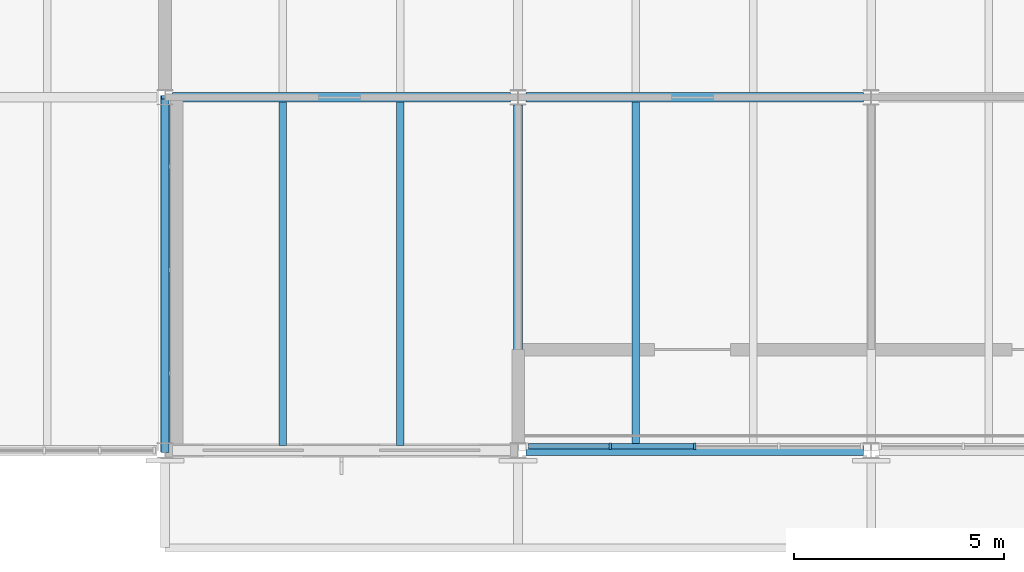
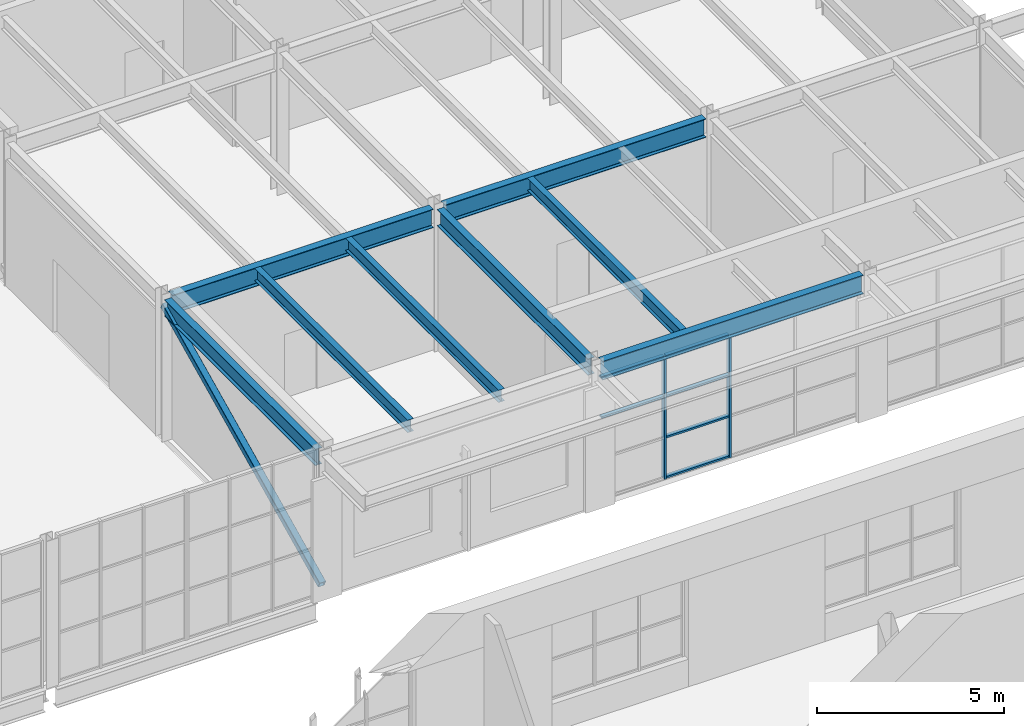
# One storey, part 42 of 116: 9 members, 8 beams, 1 element without a shape of its own.
"""IFC4 building model written with IfcOpenShell, lengths in metres."""

from ifc_helpers import new_model, si_unit, direction, frame, origin, origin_2d, place, context, subcontext, project, spatial, rectangle, hollow_rectangle, i_section, extrude, material, material_profile, profile_set, type_object, element, aggregate, save


model = new_model("IFC4")

# Units and contexts
model_context = context("Model", 3, precision=1e-05, world=origin(), true_north=direction((0.0, 1.0)))
body_context = subcontext(model_context, "Body", "Model", "MODEL_VIEW")
ifc_project = project(units=[si_unit("LENGTHUNIT", "METRE"), si_unit("AREAUNIT", "SQUARE_METRE"), si_unit("VOLUMEUNIT", "CUBIC_METRE"), si_unit("PLANEANGLEUNIT", "RADIAN"), si_unit("MASSUNIT", "GRAM", prefix="KILO")], contexts=[model_context])

# Site, building, storey
site_placement = place(None, origin())
site = spatial("IfcSite", under=ifc_project, at=site_placement, CompositionType="ELEMENT")
building_placement = place(site_placement, origin())
building = spatial("IfcBuilding", under=site, at=building_placement, Name="Ljudholm Concert House", CompositionType="ELEMENT")
storey_placement = place(building_placement, frame((0.0, 0.0, 10.199951171875)))
storey = spatial("IfcBuildingStorey", under=building, at=storey_placement, Name="L02", CompositionType="ELEMENT", Elevation=10.199951171875)

# Curtain wall, members
ifc_material_1 = material(Name="Aluminium curtain wall with fixed aluminium storm louvre blades, timber-grain finish", Category="aluminium")
curtain_wall_type = type_object("IfcCurtainWallType", Name="CURTAIN WALL 2000", PredefinedType="NOTDEFINED", material=ifc_material_1)
curtain_wall_placement = place(storey_placement, origin())
curtain_wall = element("IfcCurtainWall", 1, at=curtain_wall_placement, inside=storey, type_object=curtain_wall_type, Name="Storm louvre screen", PredefinedType="NOTDEFINED")
ifc_material_2 = material(Name="Aluminium extrusion", Category="aluminium")
ifc_material_profile_1 = material_profile(ifc_material_2, rectangle(XDim=0.159912109375, YDim=0.06005859375, at=origin_2d()), Name="MULLION 60x160")
ifc_profile_set_1 = profile_set([ifc_material_profile_1], Name="Aluminium extrusion")
member_type_1 = type_object("IfcMemberType", Name="MULLION 60x160", PredefinedType="MULLION", material=ifc_profile_set_1)
member_1_placement = place(storey_placement, frame((64.9951171875, 104.89990234375, 0.0), z_axis=(0.0, 0.0, 1.0), x_axis=(0.0, 1.0, 0.0)))
member_1 = element("IfcMember", 2, at=member_1_placement, type_object=member_type_1, Name="Mullion", PredefinedType="MULLION", context=body_context, shape_type="SweptSolid", body=[
    extrude(rectangle(XDim=0.159912109375, YDim=0.06005859375, at=origin_2d()), origin(), (0.0, 0.0, 1.0), 4.0078125),
])
member_2_placement = place(storey_placement, frame((67.0, 104.89990234375, 0.0), z_axis=(0.0, 0.0, 1.0), x_axis=(0.0, 1.0, 0.0)))
member_2 = element("IfcMember", 3, at=member_2_placement, type_object=member_type_1, Name="Mullion", PredefinedType="MULLION", context=body_context, shape_type="SweptSolid", body=[
    extrude(rectangle(XDim=0.159912109375, YDim=0.06005859375, at=origin_2d()), origin(), (0.0, 0.0, 1.0), 4.0078125),
])

# Beams
ifc_material_3 = material(Name="Steel ASTM A992", Category="steel")
ifc_material_profile_2 = material_profile(ifc_material_3, i_section(OverallWidth=0.177734375, OverallDepth=0.406494140625, WebThickness=0.0078125, FlangeThickness=0.012939453125, FilletRadius=0.01025390625, at=origin_2d()), Name="W16X40")
ifc_profile_set_2 = profile_set([ifc_material_profile_2], Name="Steel ASTM A992")
beam_type_1 = type_object("IfcBeamType", Name="STEEL BEAM W16X40", PredefinedType="BEAM", material=ifc_profile_set_2)
for number, where, z_axis, x_axis, name in (
    (4, (57.199951171875, 104.91455078125, 4.416748046875), (0.0, 1.0, 0.0), (-1.0, 0.0, 0.0), "Beam STUDIO-ROOF-sb-57.2-104.8"),
    (5, (60.0, 104.91455078125, 4.416748046875), (0.0, 1.0, 0.0), (-1.0, 0.0, 0.0), "Beam STUDIO-ROOF-sb-60-104.8"),
    (6, (65.60009765625, 104.91455078125, 4.416748046875), (0.0, 1.0, 0.0), (-1.0, 0.0, 0.0), "Beam STUDIO-ROOF-sb-65.6-104.8"),
):
    element("IfcBeam", number, at=place(storey_placement, frame(where, z_axis=z_axis, x_axis=x_axis)), inside=storey, type_object=beam_type_1, Name=name, PredefinedType="BEAM", context=body_context, shape_type="SweptSolid", body=[
        extrude(i_section(OverallWidth=0.177734375, OverallDepth=0.406494140625, WebThickness=0.0078125, FlangeThickness=0.012939453125, FilletRadius=0.01025390625, at=origin_2d()), origin(), (0.0, 0.0, 1.0), 8.1708984375),
    ])
ifc_material_4 = material(Name="Steel ASTM A992", Category="steel")
ifc_material_profile_3 = material_profile(ifc_material_4, i_section(OverallWidth=0.209228515625, OverallDepth=0.533447265625, WebThickness=0.01025390625, FlangeThickness=0.015625, FilletRadius=0.012939453125, at=origin_2d()), Name="W21X62")
ifc_profile_set_3 = profile_set([ifc_material_profile_3], Name="Steel ASTM A992")
beam_type_2 = type_object("IfcBeamType", Name="STEEL BEAM W21X62", PredefinedType="BEAM", material=ifc_profile_set_3)
for number, where, z_axis, x_axis, name in (
    (7, (54.39990234375, 104.977783203125, 4.353271484375), (0.0, 1.0, 0.0), (-1.0, 0.0, 0.0), "Beam STUDIO-ROOF-gy-54.4-104.8"),
    (8, (62.800048828125, 104.977783203125, 4.353271484375), (0.0, 1.0, 0.0), (-1.0, 0.0, 0.0), "Beam STUDIO-ROOF-gy-62.8-104.8"),
):
    element("IfcBeam", number, at=place(storey_placement, frame(where, z_axis=z_axis, x_axis=x_axis)), inside=storey, type_object=beam_type_2, Name=name, PredefinedType="BEAM", context=body_context, shape_type="SweptSolid", body=[
        extrude(i_section(OverallWidth=0.209228515625, OverallDepth=0.533447265625, WebThickness=0.01025390625, FlangeThickness=0.015625, FilletRadius=0.012939453125, at=origin_2d()), origin(), (0.0, 0.0, 1.0), 8.04443359375),
    ])
ifc_material_5 = material(Name="Steel ASTM A992", Category="steel")
ifc_material_profile_4 = material_profile(ifc_material_5, i_section(OverallWidth=0.22900390625, OverallDepth=0.612060546875, WebThickness=0.011962890625, FlangeThickness=0.01953125, FilletRadius=0.0126953125, at=origin_2d()), Name="W24X84")
ifc_profile_set_4 = profile_set([ifc_material_profile_4], Name="Steel ASTM A992")
beam_type_3 = type_object("IfcBeamType", Name="STEEL BEAM W24X84", PredefinedType="BEAM", material=ifc_profile_set_4)
for number, where, z_axis, x_axis, name in (
    (9, (62.984130859375, 104.800048828125, 4.31396484375), (1.0, 0.0, 0.0), (0.0, 1.0, 0.0), "Beam STUDIO-ROOF-gx-62.8-104.8"),
    (10, (54.584228515625, 113.199951171875, 4.31396484375), (1.0, 0.0, 0.0), (0.0, 1.0, 0.0), "Beam STUDIO-ROOF-gx-54.4-113.2"),
    (11, (62.984130859375, 113.199951171875, 4.31396484375), (1.0, 0.0, 0.0), (0.0, 1.0, 0.0), "Beam STUDIO-ROOF-gx-62.8-113.2"),
):
    element("IfcBeam", number, at=place(storey_placement, frame(where, z_axis=z_axis, x_axis=x_axis)), inside=storey, type_object=beam_type_3, Name=name, PredefinedType="BEAM", context=body_context, shape_type="SweptSolid", body=[
        extrude(i_section(OverallWidth=0.22900390625, OverallDepth=0.612060546875, WebThickness=0.011962890625, FlangeThickness=0.01953125, FilletRadius=0.0126953125, at=origin_2d()), origin(), (0.0, 0.0, 1.0), 8.03173828125),
    ])

# Member
ifc_material_6 = material(Name="Steel ASTM A500 Gr. C", Category="steel")
ifc_material_profile_5 = material_profile(ifc_material_6, hollow_rectangle(XDim=0.203125, YDim=0.203125, WallThickness=0.01171875, InnerFilletRadius=0.005859375, OuterFilletRadius=0.017822265625, at=origin_2d()), Name="HSS8X8X1/2")
ifc_profile_set_5 = profile_set([ifc_material_profile_5], Name="Steel ASTM A500 Gr. C")
member_type_2 = type_object("IfcMemberType", Name="STEEL MEMBER HSS8X8X1/2 BRACE", PredefinedType="BRACE", material=ifc_profile_set_5)
member_3_placement = place(storey_placement, frame((54.39990234375, 104.800048828125, 0.300048828125), z_axis=(0.0, 0.902022385889, 0.431689257864), x_axis=(-1.0, 0.0, 0.0)))
element("IfcMember", 12, at=member_3_placement, inside=storey, type_object=member_type_2, Name="Brace", PredefinedType="BRACE", context=body_context, shape_type="SweptSolid", body=[
    extrude(hollow_rectangle(XDim=0.203125, YDim=0.203125, WallThickness=0.01171875, InnerFilletRadius=0.005859375, OuterFilletRadius=0.017822265625, at=origin_2d()), origin(), (0.0, 0.0, 1.0), 9.312255859375),
])

ifc_material_7 = material(Name="Aluminium extrusion", Category="aluminium")
ifc_material_profile_6 = material_profile(ifc_material_7, rectangle(XDim=0.1201171875, YDim=0.06005859375, at=origin_2d()), Name="TRANSOM 60x120")
ifc_profile_set_6 = profile_set([ifc_material_profile_6], Name="Aluminium extrusion")
member_type_3 = type_object("IfcMemberType", Name="TRANSOM 60x120", PredefinedType="USERDEFINED", material=ifc_profile_set_6)
member_4_placement = place(storey_placement, frame((63.050048828125, 104.89990234375, 2.671875), z_axis=(1.0, 0.0, 0.0), x_axis=(0.0, 1.0, 0.0)))
member_4 = element("IfcMember", 13, at=member_4_placement, type_object=member_type_3, Name="Transom", ObjectType="TRANSOM", PredefinedType="USERDEFINED", context=body_context, shape_type="SweptSolid", body=[
    extrude(rectangle(XDim=0.1201171875, YDim=0.06005859375, at=origin_2d()), origin(), (0.0, 0.0, 1.0), 1.9150390625),
])

member_5_placement = place(storey_placement, frame((63.050048828125, 104.89990234375, 3.97802734375), z_axis=(1.0, 0.0, 0.0), x_axis=(0.0, 1.0, 0.0)))
member_5 = element("IfcMember", 14, at=member_5_placement, type_object=member_type_3, Name="Transom", ObjectType="TRANSOM", PredefinedType="USERDEFINED", context=body_context, shape_type="SweptSolid", body=[
    extrude(rectangle(XDim=0.1201171875, YDim=0.06005859375, at=origin_2d()), origin(), (0.0, 0.0, 1.0), 1.9150390625),
])

member_6_placement = place(storey_placement, frame((65.02490234375, 104.89990234375, 0.030029296875), z_axis=(1.0, 0.0, 0.0), x_axis=(0.0, 1.0, 0.0)))
member_6 = element("IfcMember", 15, at=member_6_placement, type_object=member_type_3, Name="Transom", ObjectType="TRANSOM", PredefinedType="USERDEFINED", context=body_context, shape_type="SweptSolid", body=[
    extrude(rectangle(XDim=0.1201171875, YDim=0.06005859375, at=origin_2d()), origin(), (0.0, 0.0, 1.0), 1.945068359375),
])

member_7_placement = place(storey_placement, frame((65.02490234375, 104.89990234375, 1.3359375), z_axis=(1.0, 0.0, 0.0), x_axis=(0.0, 1.0, 0.0)))
member_7 = element("IfcMember", 16, at=member_7_placement, type_object=member_type_3, Name="Transom", ObjectType="TRANSOM", PredefinedType="USERDEFINED", context=body_context, shape_type="SweptSolid", body=[
    extrude(rectangle(XDim=0.1201171875, YDim=0.06005859375, at=origin_2d()), origin(), (0.0, 0.0, 1.0), 1.945068359375),
])

member_8_placement = place(storey_placement, frame((65.02490234375, 104.89990234375, 2.671875), z_axis=(1.0, 0.0, 0.0), x_axis=(0.0, 1.0, 0.0)))
member_8 = element("IfcMember", 17, at=member_8_placement, type_object=member_type_3, Name="Transom", ObjectType="TRANSOM", PredefinedType="USERDEFINED", context=body_context, shape_type="SweptSolid", body=[
    extrude(rectangle(XDim=0.1201171875, YDim=0.06005859375, at=origin_2d()), origin(), (0.0, 0.0, 1.0), 1.945068359375),
])

member_9_placement = place(storey_placement, frame((65.02490234375, 104.89990234375, 3.97802734375), z_axis=(1.0, 0.0, 0.0), x_axis=(0.0, 1.0, 0.0)))
member_9 = element("IfcMember", 18, at=member_9_placement, type_object=member_type_3, Name="Transom", ObjectType="TRANSOM", PredefinedType="USERDEFINED", context=body_context, shape_type="SweptSolid", body=[
    extrude(rectangle(XDim=0.1201171875, YDim=0.06005859375, at=origin_2d()), origin(), (0.0, 0.0, 1.0), 1.945068359375),
])

aggregate(curtain_wall, [member_1, member_2, member_4, member_5, member_6, member_7, member_8, member_9])

save(model, "model.ifc")
